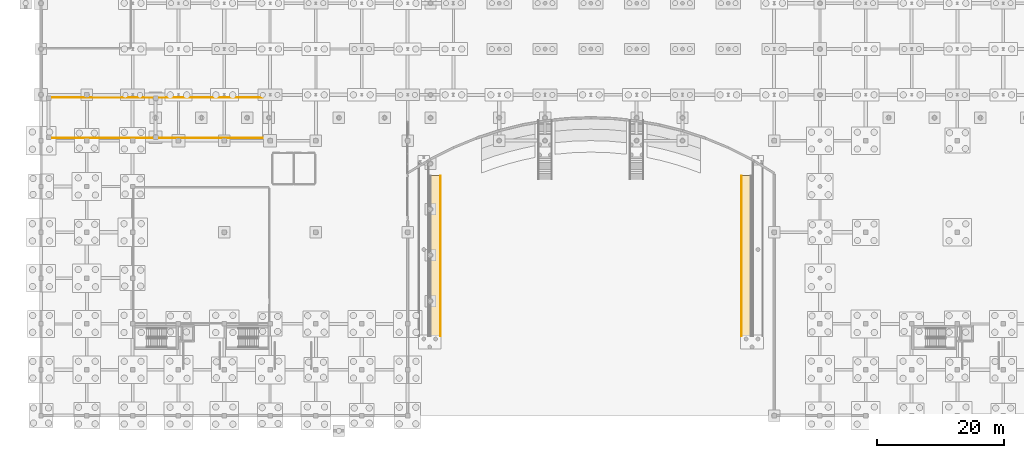
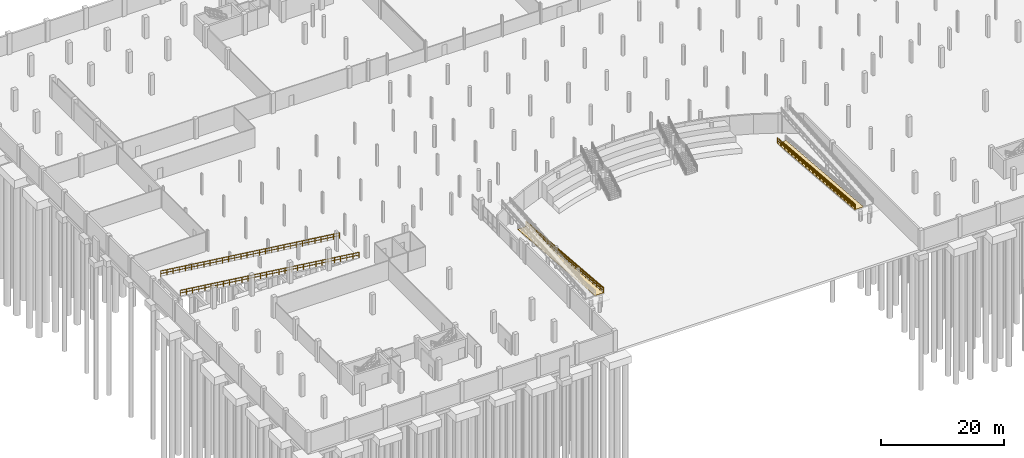
# One storey, part 50 of 56: 6 railings, 2 coverings.
"""IFC4 building model written with IfcOpenShell, lengths in metres."""

from ifc_helpers import new_model, si_unit, direction, frame, origin, origin_2d, place, context, subcontext, project, spatial, polyline, rectangle, outline, extrude, material, layer, layer_set, type_object, element, save


model = new_model("IFC4")

# Units and contexts
model_context = context("Model", 3, precision=1e-05, world=origin(), true_north=direction((0.0, 1.0)))
body_context = subcontext(model_context, "Body", "Model", "MODEL_VIEW")
ifc_project = project(units=[si_unit("LENGTHUNIT", "METRE"), si_unit("AREAUNIT", "SQUARE_METRE"), si_unit("VOLUMEUNIT", "CUBIC_METRE"), si_unit("PLANEANGLEUNIT", "RADIAN"), si_unit("MASSUNIT", "GRAM", prefix="KILO")], contexts=[model_context])

# Site, building, storey
site_placement = place(None, origin())
site = spatial("IfcSite", under=ifc_project, at=site_placement, CompositionType="ELEMENT")
building_placement = place(site_placement, origin())
building = spatial("IfcBuilding", under=site, at=building_placement, Name="Suanplinth Sawtooth Commons", CompositionType="ELEMENT")
storey_placement = place(building_placement, frame((0.0, 0.0, -4.199951171875)))
storey = spatial("IfcBuildingStorey", under=building, at=storey_placement, Name="B1", CompositionType="ELEMENT", Elevation=-4.199951171875)

# Coverings
ifc_material_1 = material(Name="Insulated zinc-aluminium architectural wall panel", Category="aluminium")
ifc_layer = layer(ifc_material_1, 0.139892578125, Name="Insulated architectural gable tympanum cladding 140mm")
ifc_layer_set = layer_set([ifc_layer], Name="Insulated zinc-aluminium architectural wall panel")
covering_type = type_object("IfcCoveringType", Name="CV-CL02", PredefinedType="CLADDING", material=ifc_layer_set)
for number, where, z_axis, x_axis, name in (
    (1, (61.179931640625, 37.68798828125, 0.02001953125), (0.0, 0.083039886798, 0.996546224317), (1.0, 0.0, 0.0), "RMP-AR-01 Lower Ramp Deck Stone Finish"),
    (2, (109.97998046875, 37.68798828125, 0.02001953125), (0.0, 0.083039886798, 0.996546224317), (1.0, 0.0, 0.0), "RMP-AR-02 Lower Ramp Deck Stone Finish"),
):
    element("IfcCovering", number, at=place(storey_placement, frame(where, z_axis=z_axis, x_axis=x_axis)), inside=storey, type_object=covering_type, Name=name, PredefinedType="CLADDING", context=body_context, shape_type="SweptSolid", body=[
        extrude(outline(polyline([(0.0, 0.0), (1.64013671875, 0.0), (1.64013671875, -25.287287791536023), (0.0, -25.287287791536023), (0.0, 0.0)])), origin(), (0.0, 0.0, -1.0), 0.06005859375),
    ])

# Railings
ifc_material_2 = material(Name="Stainless steel Grade 304", Category="steel")
railing_type_1 = type_object("IfcRailingType", Name="GR-04", PredefinedType="GUARDRAIL", material=ifc_material_2)
railing_1_placement = place(storey_placement, frame((34.800048828125, 43.6201171875, 0.0)))
element("IfcRailing", 3, at=railing_1_placement, inside=storey, type_object=railing_type_1, Name="Vehicle Ramp Side Guardrail VR-01-S", PredefinedType="GUARDRAIL", context=body_context, shape_type="SweptSolid", body=[
    extrude(rectangle(XDim=0.048095703125, YDim=0.048095703125, at=origin_2d()), frame((0.0, 0.0, 1.076171875), z_axis=(-0.992278098557, 0.0, 0.124032959829), x_axis=(0.0, -1.0, 0.0)), (0.0, 0.0, 1.0), 33.861572265625),
    extrude(rectangle(XDim=0.03369140625, YDim=0.03369140625, at=origin_2d()), frame((0.0, 0.0, 0.550048828125), z_axis=(-0.992278098557, 0.0, 0.124032959829), x_axis=(0.0, -1.0, 0.0)), (0.0, 0.0, 1.0), 33.861572265625),
    extrude(rectangle(XDim=0.0419921875, YDim=0.0419921875, at=origin_2d()), origin(), (0.0, 0.0, 1.0), 1.052001953125),
    extrude(rectangle(XDim=0.0419921875, YDim=0.0419921875, at=origin_2d()), frame((-1.15869140625, 0.0, 0.144775390625)), (0.0, 0.0, 1.0), 1.052001953125),
    extrude(rectangle(XDim=0.0419921875, YDim=0.0419921875, at=origin_2d()), frame((-2.317138671875, 0.0, 0.28955078125)), (0.0, 0.0, 1.0), 1.052001953125),
    extrude(rectangle(XDim=0.0419921875, YDim=0.0419921875, at=origin_2d()), frame((-3.475830078125, 0.0, 0.4345703125)), (0.0, 0.0, 1.0), 1.052001953125),
    extrude(rectangle(XDim=0.0419921875, YDim=0.0419921875, at=origin_2d()), frame((-4.634521484375, 0.0, 0.579345703125)), (0.0, 0.0, 1.0), 1.052001953125),
    extrude(rectangle(XDim=0.0419921875, YDim=0.0419921875, at=origin_2d()), frame((-5.793212890625, 0.0, 0.72412109375)), (0.0, 0.0, 1.0), 1.052001953125),
    extrude(rectangle(XDim=0.0419921875, YDim=0.0419921875, at=origin_2d()), frame((-6.95166015625, 0.0, 0.868896484375)), (0.0, 0.0, 1.0), 1.052001953125),
    extrude(rectangle(XDim=0.0419921875, YDim=0.0419921875, at=origin_2d()), frame((-8.1103515625, 0.0, 1.013671875)), (0.0, 0.0, 1.0), 1.052001953125),
    extrude(rectangle(XDim=0.0419921875, YDim=0.0419921875, at=origin_2d()), frame((-9.26904296875, 0.0, 1.15869140625)), (0.0, 0.0, 1.0), 1.052001953125),
    extrude(rectangle(XDim=0.0419921875, YDim=0.0419921875, at=origin_2d()), frame((-10.427734375, 0.0, 1.303466796875)), (0.0, 0.0, 1.0), 1.052001953125),
    extrude(rectangle(XDim=0.0419921875, YDim=0.0419921875, at=origin_2d()), frame((-11.586181640625, 0.0, 1.4482421875)), (0.0, 0.0, 1.0), 1.052001953125),
    extrude(rectangle(XDim=0.0419921875, YDim=0.0419921875, at=origin_2d()), frame((-12.744873046875, 0.0, 1.593017578125)), (0.0, 0.0, 1.0), 1.052001953125),
    extrude(rectangle(XDim=0.0419921875, YDim=0.0419921875, at=origin_2d()), frame((-13.903564453125, 0.0, 1.73779296875)), (0.0, 0.0, 1.0), 1.052001953125),
    extrude(rectangle(XDim=0.0419921875, YDim=0.0419921875, at=origin_2d()), frame((-15.06201171875, 0.0, 1.8828125)), (0.0, 0.0, 1.0), 1.052001953125),
    extrude(rectangle(XDim=0.0419921875, YDim=0.0419921875, at=origin_2d()), frame((-16.220703125, 0.0, 2.027587890625)), (0.0, 0.0, 1.0), 1.052001953125),
    extrude(rectangle(XDim=0.0419921875, YDim=0.0419921875, at=origin_2d()), frame((-17.37939453125, 0.0, 2.17236328125)), (0.0, 0.0, 1.0), 1.052001953125),
    extrude(rectangle(XDim=0.0419921875, YDim=0.0419921875, at=origin_2d()), frame((-18.5380859375, 0.0, 2.317138671875)), (0.0, 0.0, 1.0), 1.052001953125),
    extrude(rectangle(XDim=0.0419921875, YDim=0.0419921875, at=origin_2d()), frame((-19.696533203125, 0.0, 2.462158203125)), (0.0, 0.0, 1.0), 1.052001953125),
    extrude(rectangle(XDim=0.0419921875, YDim=0.0419921875, at=origin_2d()), frame((-20.855224609375, 0.0, 2.60693359375)), (0.0, 0.0, 1.0), 1.052001953125),
    extrude(rectangle(XDim=0.0419921875, YDim=0.0419921875, at=origin_2d()), frame((-22.013916015625, 0.0, 2.751708984375)), (0.0, 0.0, 1.0), 1.052001953125),
    extrude(rectangle(XDim=0.0419921875, YDim=0.0419921875, at=origin_2d()), frame((-23.17236328125, 0.0, 2.896484375)), (0.0, 0.0, 1.0), 1.052001953125),
    extrude(rectangle(XDim=0.0419921875, YDim=0.0419921875, at=origin_2d()), frame((-24.3310546875, 0.0, 3.041259765625)), (0.0, 0.0, 1.0), 1.052001953125),
    extrude(rectangle(XDim=0.0419921875, YDim=0.0419921875, at=origin_2d()), frame((-25.48974609375, 0.0, 3.186279296875)), (0.0, 0.0, 1.0), 1.052001953125),
    extrude(rectangle(XDim=0.0419921875, YDim=0.0419921875, at=origin_2d()), frame((-26.6484375, 0.0, 3.3310546875)), (0.0, 0.0, 1.0), 1.052001953125),
    extrude(rectangle(XDim=0.0419921875, YDim=0.0419921875, at=origin_2d()), frame((-27.806884765625, 0.0, 3.475830078125)), (0.0, 0.0, 1.0), 1.052001953125),
    extrude(rectangle(XDim=0.0419921875, YDim=0.0419921875, at=origin_2d()), frame((-28.965576171875, 0.0, 3.62060546875)), (0.0, 0.0, 1.0), 1.052001953125),
    extrude(rectangle(XDim=0.0419921875, YDim=0.0419921875, at=origin_2d()), frame((-30.124267578125, 0.0, 3.765380859375)), (0.0, 0.0, 1.0), 1.052001953125),
    extrude(rectangle(XDim=0.0419921875, YDim=0.0419921875, at=origin_2d()), frame((-31.282958984375, 0.0, 3.910400390625)), (0.0, 0.0, 1.0), 1.052001953125),
    extrude(rectangle(XDim=0.0419921875, YDim=0.0419921875, at=origin_2d()), frame((-32.44140625, 0.0, 4.05517578125)), (0.0, 0.0, 1.0), 1.052001953125),
    extrude(rectangle(XDim=0.0419921875, YDim=0.0419921875, at=origin_2d()), frame((-33.60009765625, 0.0, 4.199951171875)), (0.0, 0.0, 1.0), 1.052001953125),
])
railing_2_placement = place(storey_placement, frame((34.800048828125, 49.97998046875, 0.0)))
element("IfcRailing", 4, at=railing_2_placement, inside=storey, type_object=railing_type_1, Name="Vehicle Ramp Side Guardrail VR-01-N", PredefinedType="GUARDRAIL", context=body_context, shape_type="SweptSolid", body=[
    extrude(rectangle(XDim=0.048095703125, YDim=0.048095703125, at=origin_2d()), frame((0.0, 0.0, 1.076171875), z_axis=(-0.992278098557, 0.0, 0.124032959829), x_axis=(0.0, -1.0, 0.0)), (0.0, 0.0, 1.0), 33.861572265625),
    extrude(rectangle(XDim=0.03369140625, YDim=0.03369140625, at=origin_2d()), frame((0.0, 0.0, 0.550048828125), z_axis=(-0.992278098557, 0.0, 0.124032959829), x_axis=(0.0, -1.0, 0.0)), (0.0, 0.0, 1.0), 33.861572265625),
    extrude(rectangle(XDim=0.0419921875, YDim=0.0419921875, at=origin_2d()), origin(), (0.0, 0.0, 1.0), 1.052001953125),
    extrude(rectangle(XDim=0.0419921875, YDim=0.0419921875, at=origin_2d()), frame((-1.15869140625, 0.0, 0.144775390625)), (0.0, 0.0, 1.0), 1.052001953125),
    extrude(rectangle(XDim=0.0419921875, YDim=0.0419921875, at=origin_2d()), frame((-2.317138671875, 0.0, 0.28955078125)), (0.0, 0.0, 1.0), 1.052001953125),
    extrude(rectangle(XDim=0.0419921875, YDim=0.0419921875, at=origin_2d()), frame((-3.475830078125, 0.0, 0.4345703125)), (0.0, 0.0, 1.0), 1.052001953125),
    extrude(rectangle(XDim=0.0419921875, YDim=0.0419921875, at=origin_2d()), frame((-4.634521484375, 0.0, 0.579345703125)), (0.0, 0.0, 1.0), 1.052001953125),
    extrude(rectangle(XDim=0.0419921875, YDim=0.0419921875, at=origin_2d()), frame((-5.793212890625, 0.0, 0.72412109375)), (0.0, 0.0, 1.0), 1.052001953125),
    extrude(rectangle(XDim=0.0419921875, YDim=0.0419921875, at=origin_2d()), frame((-6.95166015625, 0.0, 0.868896484375)), (0.0, 0.0, 1.0), 1.052001953125),
    extrude(rectangle(XDim=0.0419921875, YDim=0.0419921875, at=origin_2d()), frame((-8.1103515625, 0.0, 1.013671875)), (0.0, 0.0, 1.0), 1.052001953125),
    extrude(rectangle(XDim=0.0419921875, YDim=0.0419921875, at=origin_2d()), frame((-9.26904296875, 0.0, 1.15869140625)), (0.0, 0.0, 1.0), 1.052001953125),
    extrude(rectangle(XDim=0.0419921875, YDim=0.0419921875, at=origin_2d()), frame((-10.427734375, 0.0, 1.303466796875)), (0.0, 0.0, 1.0), 1.052001953125),
    extrude(rectangle(XDim=0.0419921875, YDim=0.0419921875, at=origin_2d()), frame((-11.586181640625, 0.0, 1.4482421875)), (0.0, 0.0, 1.0), 1.052001953125),
    extrude(rectangle(XDim=0.0419921875, YDim=0.0419921875, at=origin_2d()), frame((-12.744873046875, 0.0, 1.593017578125)), (0.0, 0.0, 1.0), 1.052001953125),
    extrude(rectangle(XDim=0.0419921875, YDim=0.0419921875, at=origin_2d()), frame((-13.903564453125, 0.0, 1.73779296875)), (0.0, 0.0, 1.0), 1.052001953125),
    extrude(rectangle(XDim=0.0419921875, YDim=0.0419921875, at=origin_2d()), frame((-15.06201171875, 0.0, 1.8828125)), (0.0, 0.0, 1.0), 1.052001953125),
    extrude(rectangle(XDim=0.0419921875, YDim=0.0419921875, at=origin_2d()), frame((-16.220703125, 0.0, 2.027587890625)), (0.0, 0.0, 1.0), 1.052001953125),
    extrude(rectangle(XDim=0.0419921875, YDim=0.0419921875, at=origin_2d()), frame((-17.37939453125, 0.0, 2.17236328125)), (0.0, 0.0, 1.0), 1.052001953125),
    extrude(rectangle(XDim=0.0419921875, YDim=0.0419921875, at=origin_2d()), frame((-18.5380859375, 0.0, 2.317138671875)), (0.0, 0.0, 1.0), 1.052001953125),
    extrude(rectangle(XDim=0.0419921875, YDim=0.0419921875, at=origin_2d()), frame((-19.696533203125, 0.0, 2.462158203125)), (0.0, 0.0, 1.0), 1.052001953125),
    extrude(rectangle(XDim=0.0419921875, YDim=0.0419921875, at=origin_2d()), frame((-20.855224609375, 0.0, 2.60693359375)), (0.0, 0.0, 1.0), 1.052001953125),
    extrude(rectangle(XDim=0.0419921875, YDim=0.0419921875, at=origin_2d()), frame((-22.013916015625, 0.0, 2.751708984375)), (0.0, 0.0, 1.0), 1.052001953125),
    extrude(rectangle(XDim=0.0419921875, YDim=0.0419921875, at=origin_2d()), frame((-23.17236328125, 0.0, 2.896484375)), (0.0, 0.0, 1.0), 1.052001953125),
    extrude(rectangle(XDim=0.0419921875, YDim=0.0419921875, at=origin_2d()), frame((-24.3310546875, 0.0, 3.041259765625)), (0.0, 0.0, 1.0), 1.052001953125),
    extrude(rectangle(XDim=0.0419921875, YDim=0.0419921875, at=origin_2d()), frame((-25.48974609375, 0.0, 3.186279296875)), (0.0, 0.0, 1.0), 1.052001953125),
    extrude(rectangle(XDim=0.0419921875, YDim=0.0419921875, at=origin_2d()), frame((-26.6484375, 0.0, 3.3310546875)), (0.0, 0.0, 1.0), 1.052001953125),
    extrude(rectangle(XDim=0.0419921875, YDim=0.0419921875, at=origin_2d()), frame((-27.806884765625, 0.0, 3.475830078125)), (0.0, 0.0, 1.0), 1.052001953125),
    extrude(rectangle(XDim=0.0419921875, YDim=0.0419921875, at=origin_2d()), frame((-28.965576171875, 0.0, 3.62060546875)), (0.0, 0.0, 1.0), 1.052001953125),
    extrude(rectangle(XDim=0.0419921875, YDim=0.0419921875, at=origin_2d()), frame((-30.124267578125, 0.0, 3.765380859375)), (0.0, 0.0, 1.0), 1.052001953125),
    extrude(rectangle(XDim=0.0419921875, YDim=0.0419921875, at=origin_2d()), frame((-31.282958984375, 0.0, 3.910400390625)), (0.0, 0.0, 1.0), 1.052001953125),
    extrude(rectangle(XDim=0.0419921875, YDim=0.0419921875, at=origin_2d()), frame((-32.44140625, 0.0, 4.05517578125)), (0.0, 0.0, 1.0), 1.052001953125),
    extrude(rectangle(XDim=0.0419921875, YDim=0.0419921875, at=origin_2d()), frame((-33.60009765625, 0.0, 4.199951171875)), (0.0, 0.0, 1.0), 1.052001953125),
])
railing_3_placement = place(storey_placement, frame((62.75, 37.68798828125, 0.0)))
element("IfcRailing", 5, at=railing_3_placement, inside=storey, type_object=railing_type_1, Name="RMP-AR-01 Guard 2", PredefinedType="GUARDRAIL", context=body_context, shape_type="SweptSolid", body=[
    extrude(rectangle(XDim=0.048095703125, YDim=0.048095703125, at=origin_2d()), frame((0.0, 0.0, 1.076171875), z_axis=(0.0, -0.996546224317, 0.083039886798), x_axis=(1.0, 0.0, 0.0)), (0.0, 0.0, 1.0), 25.287353515625),
    extrude(rectangle(XDim=0.03369140625, YDim=0.03369140625, at=origin_2d()), frame((0.0, 0.0, 0.550048828125), z_axis=(0.0, -0.996546224317, 0.083039886798), x_axis=(1.0, 0.0, 0.0)), (0.0, 0.0, 1.0), 25.287353515625),
    extrude(rectangle(XDim=0.0419921875, YDim=0.0419921875, at=origin_2d()), origin(), (0.0, 0.0, 1.0), 1.052001953125),
    extrude(rectangle(XDim=0.0419921875, YDim=0.0419921875, at=origin_2d()), frame((0.0, -1.1455078125, 0.095458984375)), (0.0, 0.0, 1.0), 1.052001953125),
    extrude(rectangle(XDim=0.0419921875, YDim=0.0419921875, at=origin_2d()), frame((0.0, -2.291015625, 0.19091796875)), (0.0, 0.0, 1.0), 1.052001953125),
    extrude(rectangle(XDim=0.0419921875, YDim=0.0419921875, at=origin_2d()), frame((0.0, -3.436279296875, 0.286376953125)), (0.0, 0.0, 1.0), 1.052001953125),
    extrude(rectangle(XDim=0.0419921875, YDim=0.0419921875, at=origin_2d()), frame((0.0, -4.581787109375, 0.3818359375)), (0.0, 0.0, 1.0), 1.052001953125),
    extrude(rectangle(XDim=0.0419921875, YDim=0.0419921875, at=origin_2d()), frame((0.0, -5.727294921875, 0.477294921875)), (0.0, 0.0, 1.0), 1.052001953125),
    extrude(rectangle(XDim=0.0419921875, YDim=0.0419921875, at=origin_2d()), frame((0.0, -6.872802734375, 0.57275390625)), (0.0, 0.0, 1.0), 1.052001953125),
    extrude(rectangle(XDim=0.0419921875, YDim=0.0419921875, at=origin_2d()), frame((0.0, -8.01806640625, 0.668212890625)), (0.0, 0.0, 1.0), 1.052001953125),
    extrude(rectangle(XDim=0.0419921875, YDim=0.0419921875, at=origin_2d()), frame((0.0, -9.16357421875, 0.763671875)), (0.0, 0.0, 1.0), 1.052001953125),
    extrude(rectangle(XDim=0.0419921875, YDim=0.0419921875, at=origin_2d()), frame((0.0, -10.30908203125, 0.859130859375)), (0.0, 0.0, 1.0), 1.052001953125),
    extrude(rectangle(XDim=0.0419921875, YDim=0.0419921875, at=origin_2d()), frame((0.0, -11.45458984375, 0.95458984375)), (0.0, 0.0, 1.0), 1.052001953125),
    extrude(rectangle(XDim=0.0419921875, YDim=0.0419921875, at=origin_2d()), frame((0.0, -12.60009765625, 1.0498046875)), (0.0, 0.0, 1.0), 1.052001953125),
    extrude(rectangle(XDim=0.0419921875, YDim=0.0419921875, at=origin_2d()), frame((0.0, -13.745361328125, 1.145263671875)), (0.0, 0.0, 1.0), 1.052001953125),
    extrude(rectangle(XDim=0.0419921875, YDim=0.0419921875, at=origin_2d()), frame((0.0, -14.890869140625, 1.24072265625)), (0.0, 0.0, 1.0), 1.052001953125),
    extrude(rectangle(XDim=0.0419921875, YDim=0.0419921875, at=origin_2d()), frame((0.0, -16.036376953125, 1.336181640625)), (0.0, 0.0, 1.0), 1.052001953125),
    extrude(rectangle(XDim=0.0419921875, YDim=0.0419921875, at=origin_2d()), frame((0.0, -17.181884765625, 1.431640625)), (0.0, 0.0, 1.0), 1.052001953125),
    extrude(rectangle(XDim=0.0419921875, YDim=0.0419921875, at=origin_2d()), frame((0.0, -18.3271484375, 1.527099609375)), (0.0, 0.0, 1.0), 1.052001953125),
    extrude(rectangle(XDim=0.0419921875, YDim=0.0419921875, at=origin_2d()), frame((0.0, -19.47265625, 1.62255859375)), (0.0, 0.0, 1.0), 1.052001953125),
    extrude(rectangle(XDim=0.0419921875, YDim=0.0419921875, at=origin_2d()), frame((0.0, -20.6181640625, 1.718017578125)), (0.0, 0.0, 1.0), 1.052001953125),
    extrude(rectangle(XDim=0.0419921875, YDim=0.0419921875, at=origin_2d()), frame((0.0, -21.763671875, 1.8134765625)), (0.0, 0.0, 1.0), 1.052001953125),
    extrude(rectangle(XDim=0.0419921875, YDim=0.0419921875, at=origin_2d()), frame((0.0, -22.908935546875, 1.908935546875)), (0.0, 0.0, 1.0), 1.052001953125),
    extrude(rectangle(XDim=0.0419921875, YDim=0.0419921875, at=origin_2d()), frame((0.0, -24.054443359375, 2.00439453125)), (0.0, 0.0, 1.0), 1.052001953125),
    extrude(rectangle(XDim=0.0419921875, YDim=0.0419921875, at=origin_2d()), frame((0.0, -25.199951171875, 2.099853515625)), (0.0, 0.0, 1.0), 1.052001953125),
])
railing_4_placement = place(storey_placement, frame((110.050048828125, 37.68798828125, 0.0)))
element("IfcRailing", 6, at=railing_4_placement, inside=storey, type_object=railing_type_1, Name="RMP-AR-02 Guard 1", PredefinedType="GUARDRAIL", context=body_context, shape_type="SweptSolid", body=[
    extrude(rectangle(XDim=0.048095703125, YDim=0.048095703125, at=origin_2d()), frame((0.0, 0.0, 1.076171875), z_axis=(0.0, -0.996546224317, 0.083039886798), x_axis=(1.0, 0.0, 0.0)), (0.0, 0.0, 1.0), 25.287353515625),
    extrude(rectangle(XDim=0.03369140625, YDim=0.03369140625, at=origin_2d()), frame((0.0, 0.0, 0.550048828125), z_axis=(0.0, -0.996546224317, 0.083039886798), x_axis=(1.0, 0.0, 0.0)), (0.0, 0.0, 1.0), 25.287353515625),
    extrude(rectangle(XDim=0.0419921875, YDim=0.0419921875, at=origin_2d()), origin(), (0.0, 0.0, 1.0), 1.052001953125),
    extrude(rectangle(XDim=0.0419921875, YDim=0.0419921875, at=origin_2d()), frame((0.0, -1.1455078125, 0.095458984375)), (0.0, 0.0, 1.0), 1.052001953125),
    extrude(rectangle(XDim=0.0419921875, YDim=0.0419921875, at=origin_2d()), frame((0.0, -2.291015625, 0.19091796875)), (0.0, 0.0, 1.0), 1.052001953125),
    extrude(rectangle(XDim=0.0419921875, YDim=0.0419921875, at=origin_2d()), frame((0.0, -3.436279296875, 0.286376953125)), (0.0, 0.0, 1.0), 1.052001953125),
    extrude(rectangle(XDim=0.0419921875, YDim=0.0419921875, at=origin_2d()), frame((0.0, -4.581787109375, 0.3818359375)), (0.0, 0.0, 1.0), 1.052001953125),
    extrude(rectangle(XDim=0.0419921875, YDim=0.0419921875, at=origin_2d()), frame((0.0, -5.727294921875, 0.477294921875)), (0.0, 0.0, 1.0), 1.052001953125),
    extrude(rectangle(XDim=0.0419921875, YDim=0.0419921875, at=origin_2d()), frame((0.0, -6.872802734375, 0.57275390625)), (0.0, 0.0, 1.0), 1.052001953125),
    extrude(rectangle(XDim=0.0419921875, YDim=0.0419921875, at=origin_2d()), frame((0.0, -8.01806640625, 0.668212890625)), (0.0, 0.0, 1.0), 1.052001953125),
    extrude(rectangle(XDim=0.0419921875, YDim=0.0419921875, at=origin_2d()), frame((0.0, -9.16357421875, 0.763671875)), (0.0, 0.0, 1.0), 1.052001953125),
    extrude(rectangle(XDim=0.0419921875, YDim=0.0419921875, at=origin_2d()), frame((0.0, -10.30908203125, 0.859130859375)), (0.0, 0.0, 1.0), 1.052001953125),
    extrude(rectangle(XDim=0.0419921875, YDim=0.0419921875, at=origin_2d()), frame((0.0, -11.45458984375, 0.95458984375)), (0.0, 0.0, 1.0), 1.052001953125),
    extrude(rectangle(XDim=0.0419921875, YDim=0.0419921875, at=origin_2d()), frame((0.0, -12.60009765625, 1.0498046875)), (0.0, 0.0, 1.0), 1.052001953125),
    extrude(rectangle(XDim=0.0419921875, YDim=0.0419921875, at=origin_2d()), frame((0.0, -13.745361328125, 1.145263671875)), (0.0, 0.0, 1.0), 1.052001953125),
    extrude(rectangle(XDim=0.0419921875, YDim=0.0419921875, at=origin_2d()), frame((0.0, -14.890869140625, 1.24072265625)), (0.0, 0.0, 1.0), 1.052001953125),
    extrude(rectangle(XDim=0.0419921875, YDim=0.0419921875, at=origin_2d()), frame((0.0, -16.036376953125, 1.336181640625)), (0.0, 0.0, 1.0), 1.052001953125),
    extrude(rectangle(XDim=0.0419921875, YDim=0.0419921875, at=origin_2d()), frame((0.0, -17.181884765625, 1.431640625)), (0.0, 0.0, 1.0), 1.052001953125),
    extrude(rectangle(XDim=0.0419921875, YDim=0.0419921875, at=origin_2d()), frame((0.0, -18.3271484375, 1.527099609375)), (0.0, 0.0, 1.0), 1.052001953125),
    extrude(rectangle(XDim=0.0419921875, YDim=0.0419921875, at=origin_2d()), frame((0.0, -19.47265625, 1.62255859375)), (0.0, 0.0, 1.0), 1.052001953125),
    extrude(rectangle(XDim=0.0419921875, YDim=0.0419921875, at=origin_2d()), frame((0.0, -20.6181640625, 1.718017578125)), (0.0, 0.0, 1.0), 1.052001953125),
    extrude(rectangle(XDim=0.0419921875, YDim=0.0419921875, at=origin_2d()), frame((0.0, -21.763671875, 1.8134765625)), (0.0, 0.0, 1.0), 1.052001953125),
    extrude(rectangle(XDim=0.0419921875, YDim=0.0419921875, at=origin_2d()), frame((0.0, -22.908935546875, 1.908935546875)), (0.0, 0.0, 1.0), 1.052001953125),
    extrude(rectangle(XDim=0.0419921875, YDim=0.0419921875, at=origin_2d()), frame((0.0, -24.054443359375, 2.00439453125)), (0.0, 0.0, 1.0), 1.052001953125),
    extrude(rectangle(XDim=0.0419921875, YDim=0.0419921875, at=origin_2d()), frame((0.0, -25.199951171875, 2.099853515625)), (0.0, 0.0, 1.0), 1.052001953125),
])
railing_type_2 = type_object("IfcRailingType", Name="HR-01", PredefinedType="HANDRAIL", material=ifc_material_2)
railing_5_placement = place(storey_placement, frame((62.75, 37.68798828125, 0.0)))
element("IfcRailing", 7, at=railing_5_placement, inside=storey, type_object=railing_type_2, Name="RMP-AR-01 Handrail 2", PredefinedType="HANDRAIL", context=body_context, shape_type="SweptSolid", body=[
    extrude(rectangle(XDim=0.048095703125, YDim=0.048095703125, at=origin_2d()), frame((0.0, 0.0, 0.8759765625), z_axis=(0.0, -0.996546224317, 0.083039886798), x_axis=(1.0, 0.0, 0.0)), (0.0, 0.0, 1.0), 25.287353515625),
    extrude(rectangle(XDim=0.03369140625, YDim=0.03369140625, at=origin_2d()), frame((0.0, 0.0, 0.449951171875), z_axis=(0.0, -0.996546224317, 0.083039886798), x_axis=(1.0, 0.0, 0.0)), (0.0, 0.0, 1.0), 25.287353515625),
    extrude(rectangle(XDim=0.0419921875, YDim=0.0419921875, at=origin_2d()), origin(), (0.0, 0.0, 1.0), 0.851806640625),
    extrude(rectangle(XDim=0.0419921875, YDim=0.0419921875, at=origin_2d()), frame((0.0, -1.1455078125, 0.095458984375)), (0.0, 0.0, 1.0), 0.851806640625),
    extrude(rectangle(XDim=0.0419921875, YDim=0.0419921875, at=origin_2d()), frame((0.0, -2.291015625, 0.19091796875)), (0.0, 0.0, 1.0), 0.851806640625),
    extrude(rectangle(XDim=0.0419921875, YDim=0.0419921875, at=origin_2d()), frame((0.0, -3.436279296875, 0.286376953125)), (0.0, 0.0, 1.0), 0.851806640625),
    extrude(rectangle(XDim=0.0419921875, YDim=0.0419921875, at=origin_2d()), frame((0.0, -4.581787109375, 0.3818359375)), (0.0, 0.0, 1.0), 0.851806640625),
    extrude(rectangle(XDim=0.0419921875, YDim=0.0419921875, at=origin_2d()), frame((0.0, -5.727294921875, 0.477294921875)), (0.0, 0.0, 1.0), 0.851806640625),
    extrude(rectangle(XDim=0.0419921875, YDim=0.0419921875, at=origin_2d()), frame((0.0, -6.872802734375, 0.57275390625)), (0.0, 0.0, 1.0), 0.851806640625),
    extrude(rectangle(XDim=0.0419921875, YDim=0.0419921875, at=origin_2d()), frame((0.0, -8.01806640625, 0.668212890625)), (0.0, 0.0, 1.0), 0.851806640625),
    extrude(rectangle(XDim=0.0419921875, YDim=0.0419921875, at=origin_2d()), frame((0.0, -9.16357421875, 0.763671875)), (0.0, 0.0, 1.0), 0.851806640625),
    extrude(rectangle(XDim=0.0419921875, YDim=0.0419921875, at=origin_2d()), frame((0.0, -10.30908203125, 0.859130859375)), (0.0, 0.0, 1.0), 0.851806640625),
    extrude(rectangle(XDim=0.0419921875, YDim=0.0419921875, at=origin_2d()), frame((0.0, -11.45458984375, 0.95458984375)), (0.0, 0.0, 1.0), 0.851806640625),
    extrude(rectangle(XDim=0.0419921875, YDim=0.0419921875, at=origin_2d()), frame((0.0, -12.60009765625, 1.0498046875)), (0.0, 0.0, 1.0), 0.851806640625),
    extrude(rectangle(XDim=0.0419921875, YDim=0.0419921875, at=origin_2d()), frame((0.0, -13.745361328125, 1.145263671875)), (0.0, 0.0, 1.0), 0.851806640625),
    extrude(rectangle(XDim=0.0419921875, YDim=0.0419921875, at=origin_2d()), frame((0.0, -14.890869140625, 1.24072265625)), (0.0, 0.0, 1.0), 0.851806640625),
    extrude(rectangle(XDim=0.0419921875, YDim=0.0419921875, at=origin_2d()), frame((0.0, -16.036376953125, 1.336181640625)), (0.0, 0.0, 1.0), 0.851806640625),
    extrude(rectangle(XDim=0.0419921875, YDim=0.0419921875, at=origin_2d()), frame((0.0, -17.181884765625, 1.431640625)), (0.0, 0.0, 1.0), 0.851806640625),
    extrude(rectangle(XDim=0.0419921875, YDim=0.0419921875, at=origin_2d()), frame((0.0, -18.3271484375, 1.527099609375)), (0.0, 0.0, 1.0), 0.851806640625),
    extrude(rectangle(XDim=0.0419921875, YDim=0.0419921875, at=origin_2d()), frame((0.0, -19.47265625, 1.62255859375)), (0.0, 0.0, 1.0), 0.851806640625),
    extrude(rectangle(XDim=0.0419921875, YDim=0.0419921875, at=origin_2d()), frame((0.0, -20.6181640625, 1.718017578125)), (0.0, 0.0, 1.0), 0.851806640625),
    extrude(rectangle(XDim=0.0419921875, YDim=0.0419921875, at=origin_2d()), frame((0.0, -21.763671875, 1.8134765625)), (0.0, 0.0, 1.0), 0.851806640625),
    extrude(rectangle(XDim=0.0419921875, YDim=0.0419921875, at=origin_2d()), frame((0.0, -22.908935546875, 1.908935546875)), (0.0, 0.0, 1.0), 0.851806640625),
    extrude(rectangle(XDim=0.0419921875, YDim=0.0419921875, at=origin_2d()), frame((0.0, -24.054443359375, 2.00439453125)), (0.0, 0.0, 1.0), 0.851806640625),
    extrude(rectangle(XDim=0.0419921875, YDim=0.0419921875, at=origin_2d()), frame((0.0, -25.199951171875, 2.099853515625)), (0.0, 0.0, 1.0), 0.851806640625),
])
railing_6_placement = place(storey_placement, frame((110.050048828125, 37.68798828125, 0.0)))
element("IfcRailing", 8, at=railing_6_placement, inside=storey, type_object=railing_type_2, Name="RMP-AR-02 Handrail 1", PredefinedType="HANDRAIL", context=body_context, shape_type="SweptSolid", body=[
    extrude(rectangle(XDim=0.048095703125, YDim=0.048095703125, at=origin_2d()), frame((0.0, 0.0, 0.8759765625), z_axis=(0.0, -0.996546224317, 0.083039886798), x_axis=(1.0, 0.0, 0.0)), (0.0, 0.0, 1.0), 25.287353515625),
    extrude(rectangle(XDim=0.03369140625, YDim=0.03369140625, at=origin_2d()), frame((0.0, 0.0, 0.449951171875), z_axis=(0.0, -0.996546224317, 0.083039886798), x_axis=(1.0, 0.0, 0.0)), (0.0, 0.0, 1.0), 25.287353515625),
    extrude(rectangle(XDim=0.0419921875, YDim=0.0419921875, at=origin_2d()), origin(), (0.0, 0.0, 1.0), 0.851806640625),
    extrude(rectangle(XDim=0.0419921875, YDim=0.0419921875, at=origin_2d()), frame((0.0, -1.1455078125, 0.095458984375)), (0.0, 0.0, 1.0), 0.851806640625),
    extrude(rectangle(XDim=0.0419921875, YDim=0.0419921875, at=origin_2d()), frame((0.0, -2.291015625, 0.19091796875)), (0.0, 0.0, 1.0), 0.851806640625),
    extrude(rectangle(XDim=0.0419921875, YDim=0.0419921875, at=origin_2d()), frame((0.0, -3.436279296875, 0.286376953125)), (0.0, 0.0, 1.0), 0.851806640625),
    extrude(rectangle(XDim=0.0419921875, YDim=0.0419921875, at=origin_2d()), frame((0.0, -4.581787109375, 0.3818359375)), (0.0, 0.0, 1.0), 0.851806640625),
    extrude(rectangle(XDim=0.0419921875, YDim=0.0419921875, at=origin_2d()), frame((0.0, -5.727294921875, 0.477294921875)), (0.0, 0.0, 1.0), 0.851806640625),
    extrude(rectangle(XDim=0.0419921875, YDim=0.0419921875, at=origin_2d()), frame((0.0, -6.872802734375, 0.57275390625)), (0.0, 0.0, 1.0), 0.851806640625),
    extrude(rectangle(XDim=0.0419921875, YDim=0.0419921875, at=origin_2d()), frame((0.0, -8.01806640625, 0.668212890625)), (0.0, 0.0, 1.0), 0.851806640625),
    extrude(rectangle(XDim=0.0419921875, YDim=0.0419921875, at=origin_2d()), frame((0.0, -9.16357421875, 0.763671875)), (0.0, 0.0, 1.0), 0.851806640625),
    extrude(rectangle(XDim=0.0419921875, YDim=0.0419921875, at=origin_2d()), frame((0.0, -10.30908203125, 0.859130859375)), (0.0, 0.0, 1.0), 0.851806640625),
    extrude(rectangle(XDim=0.0419921875, YDim=0.0419921875, at=origin_2d()), frame((0.0, -11.45458984375, 0.95458984375)), (0.0, 0.0, 1.0), 0.851806640625),
    extrude(rectangle(XDim=0.0419921875, YDim=0.0419921875, at=origin_2d()), frame((0.0, -12.60009765625, 1.0498046875)), (0.0, 0.0, 1.0), 0.851806640625),
    extrude(rectangle(XDim=0.0419921875, YDim=0.0419921875, at=origin_2d()), frame((0.0, -13.745361328125, 1.145263671875)), (0.0, 0.0, 1.0), 0.851806640625),
    extrude(rectangle(XDim=0.0419921875, YDim=0.0419921875, at=origin_2d()), frame((0.0, -14.890869140625, 1.24072265625)), (0.0, 0.0, 1.0), 0.851806640625),
    extrude(rectangle(XDim=0.0419921875, YDim=0.0419921875, at=origin_2d()), frame((0.0, -16.036376953125, 1.336181640625)), (0.0, 0.0, 1.0), 0.851806640625),
    extrude(rectangle(XDim=0.0419921875, YDim=0.0419921875, at=origin_2d()), frame((0.0, -17.181884765625, 1.431640625)), (0.0, 0.0, 1.0), 0.851806640625),
    extrude(rectangle(XDim=0.0419921875, YDim=0.0419921875, at=origin_2d()), frame((0.0, -18.3271484375, 1.527099609375)), (0.0, 0.0, 1.0), 0.851806640625),
    extrude(rectangle(XDim=0.0419921875, YDim=0.0419921875, at=origin_2d()), frame((0.0, -19.47265625, 1.62255859375)), (0.0, 0.0, 1.0), 0.851806640625),
    extrude(rectangle(XDim=0.0419921875, YDim=0.0419921875, at=origin_2d()), frame((0.0, -20.6181640625, 1.718017578125)), (0.0, 0.0, 1.0), 0.851806640625),
    extrude(rectangle(XDim=0.0419921875, YDim=0.0419921875, at=origin_2d()), frame((0.0, -21.763671875, 1.8134765625)), (0.0, 0.0, 1.0), 0.851806640625),
    extrude(rectangle(XDim=0.0419921875, YDim=0.0419921875, at=origin_2d()), frame((0.0, -22.908935546875, 1.908935546875)), (0.0, 0.0, 1.0), 0.851806640625),
    extrude(rectangle(XDim=0.0419921875, YDim=0.0419921875, at=origin_2d()), frame((0.0, -24.054443359375, 2.00439453125)), (0.0, 0.0, 1.0), 0.851806640625),
    extrude(rectangle(XDim=0.0419921875, YDim=0.0419921875, at=origin_2d()), frame((0.0, -25.199951171875, 2.099853515625)), (0.0, 0.0, 1.0), 0.851806640625),
])

save(model, "model.ifc")
